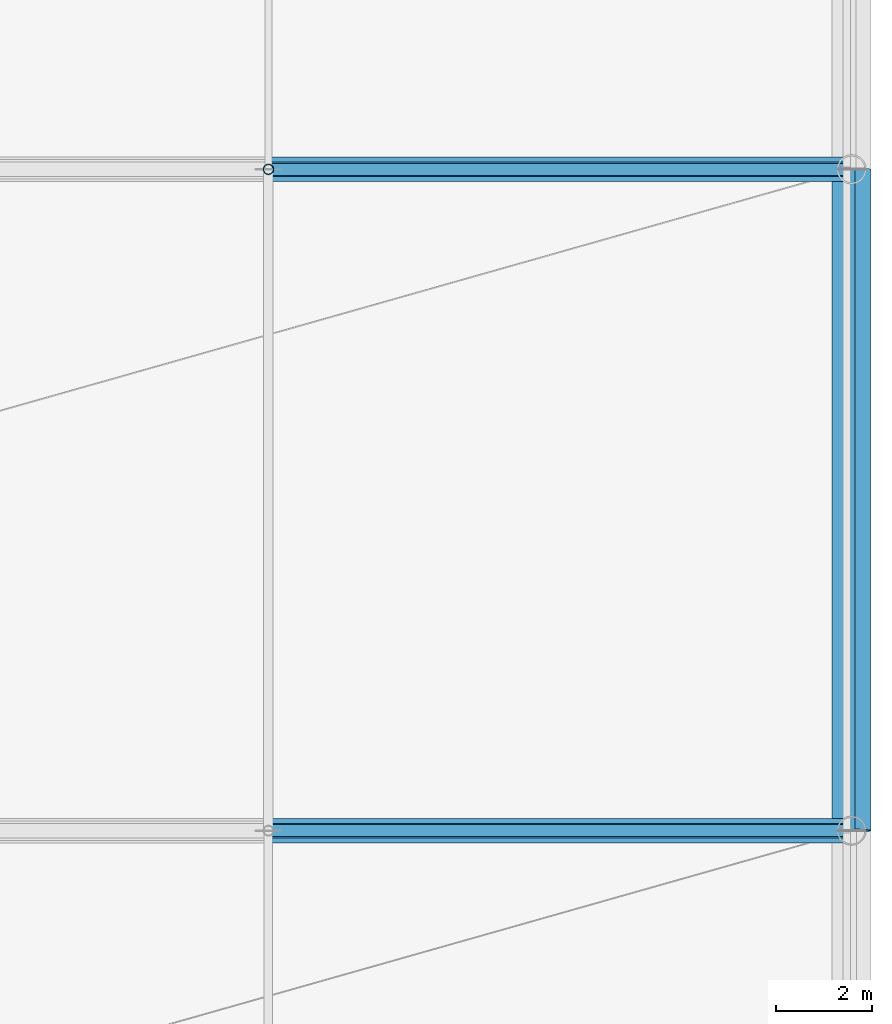
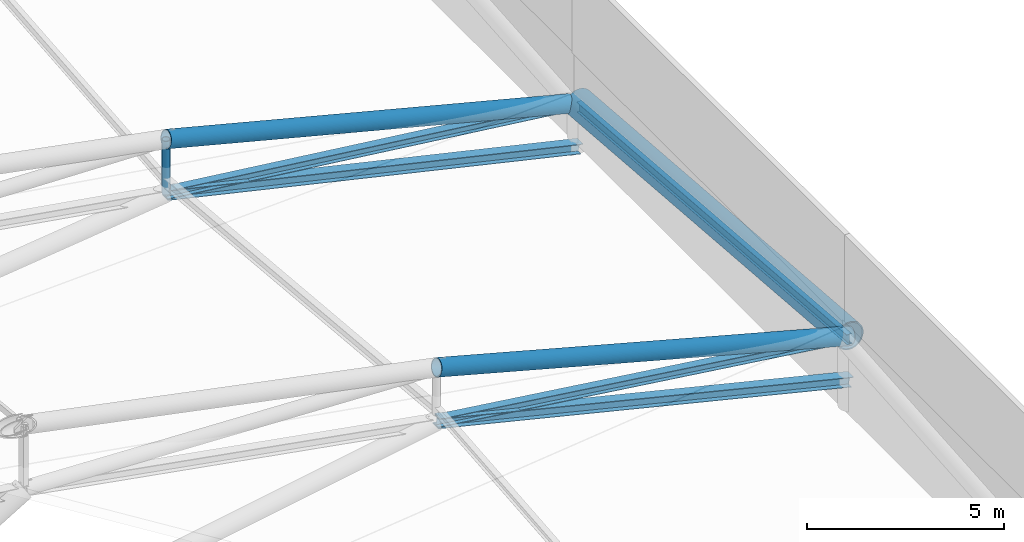
# One storey, part 18 of 36: 8 members, 1 beam.
"""IFC4 building model written with IfcOpenShell, lengths in metres."""

from ifc_helpers import new_model, si_unit, direction, frame, origin, origin_2d, place, context, subcontext, project, spatial, hollow_circle, i_section, extrude, material, material_profile, profile_set, type_object, element, save


model = new_model("IFC4")

# Units and contexts
model_context = context("Model", 3, precision=1e-05, world=origin(), true_north=direction((0.0, 1.0)))
body_context = subcontext(model_context, "Body", "Model", "MODEL_VIEW")
ifc_project = project(units=[si_unit("LENGTHUNIT", "METRE"), si_unit("AREAUNIT", "SQUARE_METRE"), si_unit("VOLUMEUNIT", "CUBIC_METRE"), si_unit("PLANEANGLEUNIT", "RADIAN"), si_unit("MASSUNIT", "GRAM", prefix="KILO")], contexts=[model_context])

# Site, building, storey
site_placement = place(None, origin())
site = spatial("IfcSite", under=ifc_project, at=site_placement, CompositionType="ELEMENT")
building_placement = place(site_placement, origin())
building = spatial("IfcBuilding", under=site, at=building_placement, Name="Linyun Crest Stadium", CompositionType="ELEMENT")
storey_placement = place(building_placement, frame((0.0, 0.0, 31.60009765625)))
storey = spatial("IfcBuildingStorey", under=building, at=storey_placement, Name="RF", CompositionType="ELEMENT", Elevation=31.60009765625)

# Beam
ifc_material_1 = material(Name="Steel Q420C", Category="steel")
ifc_material_profile_1 = material_profile(ifc_material_1, hollow_circle(Radius=0.406494140625, WallThickness=0.035888671875, at=origin_2d()), Name="CHS 813x36")
ifc_profile_set_1 = profile_set([ifc_material_profile_1], Name="Steel Q420C")
beam_type = type_object("IfcBeamType", Name="HB01", PredefinedType="USERDEFINED", material=ifc_profile_set_1)
beam_placement = place(storey_placement, frame((-35.5, 2.125, 2.15283203125), z_axis=(0.0, 0.996786513506, -0.080103973014), x_axis=(-1.0, 0.0, 0.0)))
element("IfcBeam", 1, at=beam_placement, inside=storey, type_object=beam_type, Name="Roof Inner tension ring beam HB01 V1 9", ObjectType="RING BEAM", PredefinedType="USERDEFINED", context=body_context, shape_type="SweptSolid", body=[
    extrude(hollow_circle(Radius=0.406494140625, WallThickness=0.035888671875, at=origin_2d()), origin(), (0.0, 0.0, 1.0), 13.79443359375),
])

# Members
ifc_material_2 = material(Name="Steel Q355B", Category="steel")
ifc_material_profile_2 = material_profile(ifc_material_2, i_section(OverallWidth=0.14990234375, OverallDepth=0.300048828125, WebThickness=0.007080078125, FlangeThickness=0.009033203125, at=origin_2d()), Name="HN 300x150")
ifc_profile_set_2 = profile_set([ifc_material_profile_2], Name="Steel Q355B")
member_type_1 = type_object("IfcMemberType", Name="PR01", PredefinedType="PURLIN", material=ifc_profile_set_2)
member_1_placement = place(storey_placement, frame((-35.5, 2.125, 2.04296875), z_axis=(0.0, 0.996786513506, -0.080103973014), x_axis=(-1.0, 0.0, 0.0)))
element("IfcMember", 2, at=member_1_placement, inside=storey, type_object=member_type_1, Name="Roof canopy purlin PR01 V1 171", PredefinedType="PURLIN", context=body_context, shape_type="SweptSolid", body=[
    extrude(i_section(OverallWidth=0.14990234375, OverallDepth=0.300048828125, WebThickness=0.007080078125, FlangeThickness=0.009033203125, at=origin_2d()), origin(), (0.0, 0.0, 1.0), 13.79443359375),
])
ifc_material_3 = material(Name="Steel Q420C", Category="steel")
ifc_material_profile_3 = material_profile(ifc_material_3, hollow_circle(Radius=0.25390625, WallThickness=0.02490234375, at=origin_2d()), Name="CHS 508x25")
ifc_profile_set_3 = profile_set([ifc_material_profile_3], Name="Steel Q420C")
member_type_2 = type_object("IfcMemberType", Name="TC01", PredefinedType="CHORD", material=ifc_profile_set_3)
member_2_placement = place(storey_placement, frame((-47.625, 2.125, 5.414794921875), z_axis=(0.965664927757, 0.0, -0.25979077601), x_axis=(0.0, 1.0, 0.0)))
element("IfcMember", 3, at=member_2_placement, inside=storey, type_object=member_type_2, Name="Roof truss top chord TC01 V1 90", PredefinedType="CHORD", context=body_context, shape_type="SweptSolid", body=[
    extrude(hollow_circle(Radius=0.25390625, WallThickness=0.02490234375, at=origin_2d()), origin(), (0.0, 0.0, 1.0), 12.55615234375),
])
member_3_placement = place(storey_placement, frame((-47.625, 15.875, 4.160888671875), z_axis=(0.968585734895, 0.0, -0.248679862791), x_axis=(0.0, 1.0, 0.0)))
element("IfcMember", 4, at=member_3_placement, inside=storey, type_object=member_type_2, Name="Roof truss top chord TC01 V1 109", PredefinedType="CHORD", context=body_context, shape_type="SweptSolid", body=[
    extrude(hollow_circle(Radius=0.25390625, WallThickness=0.02490234375, at=origin_2d()), origin(), (0.0, 0.0, 1.0), 12.518310546875),
])
ifc_material_4 = material(Name="Steel Q355C", Category="steel")
ifc_material_profile_4 = material_profile(ifc_material_4, i_section(OverallWidth=0.300048828125, OverallDepth=0.300048828125, WebThickness=0.010009765625, FlangeThickness=0.014892578125, at=origin_2d()), Name="HW 300x300")
ifc_profile_set_4 = profile_set([ifc_material_profile_4], Name="Steel Q355C")
member_type_3 = type_object("IfcMemberType", Name="TC03", PredefinedType="CHORD", material=ifc_profile_set_4)
member_4_placement = place(storey_placement, frame((-47.625, 2.125, 3.7509765625), z_axis=(0.971651571526, 0.0, -0.236417477254), x_axis=(0.0, 1.0, 0.0)))
element("IfcMember", 5, at=member_4_placement, inside=storey, type_object=member_type_3, Name="Roof truss bottom chord TC03 V1 91", PredefinedType="CHORD", context=body_context, shape_type="SweptSolid", body=[
    extrude(i_section(OverallWidth=0.300048828125, OverallDepth=0.300048828125, WebThickness=0.010009765625, FlangeThickness=0.014892578125, at=origin_2d()), origin(), (0.0, 0.0, 1.0), 12.478759765625),
])
member_5_placement = place(storey_placement, frame((-47.625, 15.875, 2.496826171875), z_axis=(0.974339257531, 0.0, -0.225084453561), x_axis=(0.0, 1.0, 0.0)))
element("IfcMember", 6, at=member_5_placement, inside=storey, type_object=member_type_3, Name="Roof truss bottom chord TC03 V1 110", PredefinedType="CHORD", context=body_context, shape_type="SweptSolid", body=[
    extrude(i_section(OverallWidth=0.300048828125, OverallDepth=0.300048828125, WebThickness=0.010009765625, FlangeThickness=0.014892578125, at=origin_2d()), origin(), (0.0, 0.0, 1.0), 12.4443359375),
])
ifc_material_5 = material(Name="Steel Q355C", Category="steel")
ifc_material_profile_5 = material_profile(ifc_material_5, i_section(OverallWidth=0.25, OverallDepth=0.25, WebThickness=0.009033203125, FlangeThickness=0.013916015625, at=origin_2d()), Name="HW 250x250")
ifc_profile_set_5 = profile_set([ifc_material_profile_5], Name="Steel Q355C")
member_type_4 = type_object("IfcMemberType", Name="TD04", PredefinedType="BRACE", material=ifc_profile_set_5)
member_6_placement = place(storey_placement, frame((-47.625, 2.125, 3.7509765625), z_axis=(0.991425189848, 0.0, -0.130675525385), x_axis=(0.0, 1.0, 0.0)))
element("IfcMember", 7, at=member_6_placement, inside=storey, type_object=member_type_4, Name="Roof truss diagonal TD04 V1 92", PredefinedType="BRACE", context=body_context, shape_type="SweptSolid", body=[
    extrude(i_section(OverallWidth=0.25, OverallDepth=0.25, WebThickness=0.009033203125, FlangeThickness=0.013916015625, at=origin_2d()), origin(), (0.0, 0.0, 1.0), 12.22998046875),
])
member_7_placement = place(storey_placement, frame((-47.625, 15.875, 2.496826171875), z_axis=(0.992935090225, 0.0, -0.118658782226), x_axis=(0.0, 1.0, 0.0)))
element("IfcMember", 8, at=member_7_placement, inside=storey, type_object=member_type_4, Name="Roof truss diagonal TD04 V1 111", PredefinedType="BRACE", context=body_context, shape_type="SweptSolid", body=[
    extrude(i_section(OverallWidth=0.25, OverallDepth=0.25, WebThickness=0.009033203125, FlangeThickness=0.013916015625, at=origin_2d()), origin(), (0.0, 0.0, 1.0), 12.211181640625),
])
ifc_material_6 = material(Name="Steel Q355C", Category="steel")
ifc_material_profile_6 = material_profile(ifc_material_6, hollow_circle(Radius=0.109619140625, WallThickness=0.011962890625, at=origin_2d()), Name="CHS 219x12")
ifc_profile_set_6 = profile_set([ifc_material_profile_6], Name="Steel Q355C")
member_type_5 = type_object("IfcMemberType", Name="TV01", PredefinedType="STRUT", material=ifc_profile_set_6)
member_8_placement = place(storey_placement, frame((-47.625, 15.875, 2.496826171875), z_axis=(0.0, 0.0, 1.0), x_axis=(1.0, 0.0, 0.0)))
element("IfcMember", 9, at=member_8_placement, inside=storey, type_object=member_type_5, Name="Roof vertical strut TV01 V1 112", PredefinedType="STRUT", context=body_context, shape_type="SweptSolid", body=[
    extrude(hollow_circle(Radius=0.109619140625, WallThickness=0.011962890625, at=origin_2d()), origin(), (0.0, 0.0, 1.0), 1.6640625),
])

save(model, "model.ifc")
